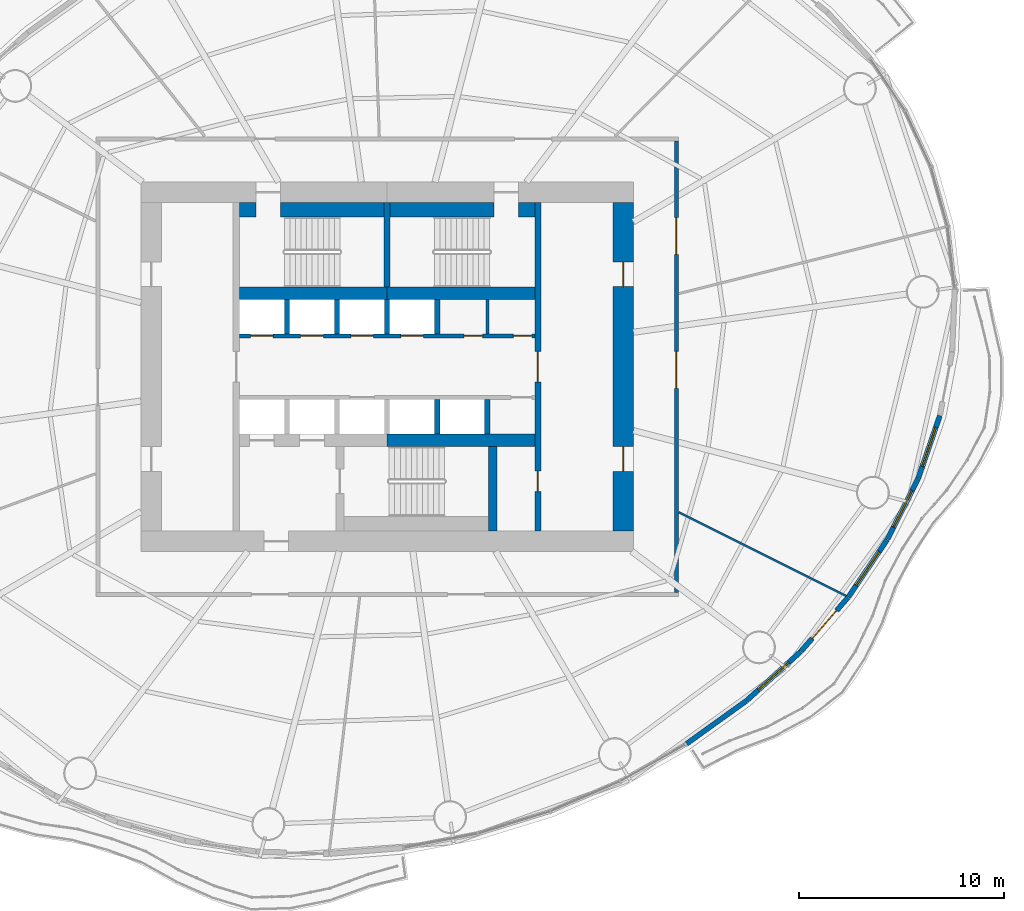
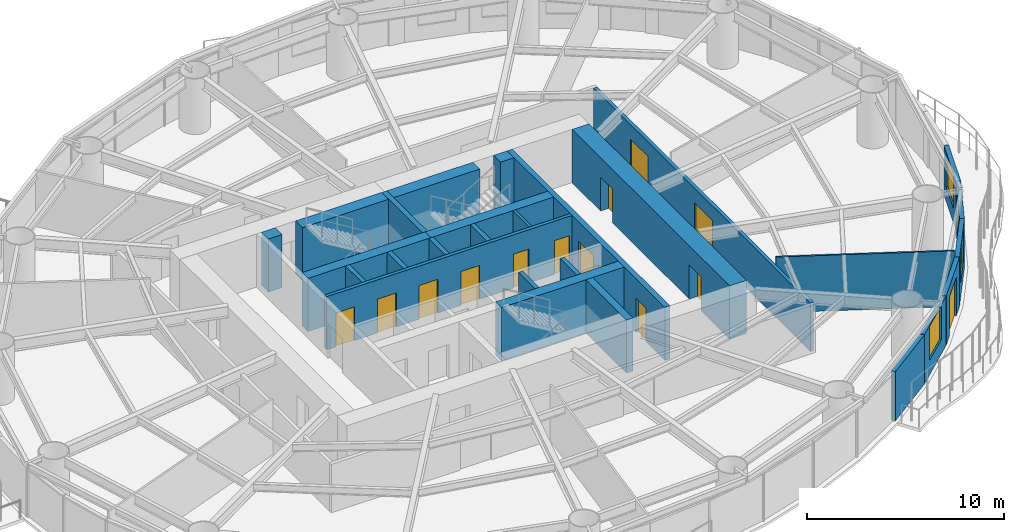
# One storey, part 9 of 16: 27 walls, 13 doors, 4 windows, 17 openings.
"""IFC4 building model written with IfcOpenShell, lengths in metres."""

from ifc_helpers import new_model, si_unit, direction, frame, frame_2d, origin, place, context, subcontext, project, spatial, rectangle, extrude, material, layer, layer_set, type_object, element, fill, save


model = new_model("IFC4")

# Units and contexts
model_context = context("Model", 3, precision=1e-05, world=origin(), true_north=direction((0.0, 1.0)))
body_context = subcontext(model_context, "Body", "Model", "MODEL_VIEW")
ifc_project = project(units=[si_unit("LENGTHUNIT", "METRE"), si_unit("AREAUNIT", "SQUARE_METRE"), si_unit("VOLUMEUNIT", "CUBIC_METRE"), si_unit("PLANEANGLEUNIT", "RADIAN"), si_unit("MASSUNIT", "GRAM", prefix="KILO")], contexts=[model_context])

# Site, building, storey
site_placement = place(None, origin())
site = spatial("IfcSite", under=ifc_project, at=site_placement, CompositionType="ELEMENT")
building_placement = place(site_placement, origin())
building = spatial("IfcBuilding", under=site, at=building_placement, Name="Vermilion Reach Broadcast Tower", CompositionType="ELEMENT")
storey_placement = place(building_placement, frame((0.0, 0.0, 113.800048828125)))
storey = spatial("IfcBuildingStorey", under=building, at=storey_placement, Name="L26", CompositionType="ELEMENT", Elevation=113.800048828125)

# Wall, openings, doors
ifc_material_1 = material(Name="Concrete C70", Category="concrete")
ifc_layer_1 = layer(ifc_material_1, 0.300048828125)
ifc_layer_set_1 = layer_set([ifc_layer_1], Name="Core inner wall 300 mm Concrete C70")
wall_type_1 = type_object("IfcWallType", Name="Core inner wall 300 mm Concrete C70", PredefinedType="SHEAR", material=ifc_layer_set_1)
wall_1_placement = place(storey_placement, frame((1.35009765625, -8.0, 0.0), z_axis=(0.0, 0.0, 1.0), x_axis=(0.0, 1.0, 0.0)))
wall_1 = element("IfcWall", 1, at=wall_1_placement, inside=storey, type_object=wall_type_1, Name="L26 core wall ewE", PredefinedType="SHEAR", context=body_context, shape_type="SweptSolid", body=[
    extrude(rectangle(XDim=16.0, YDim=0.300048828125, at=frame_2d((8.0, 0.0))), origin(), (0.0, 0.0, 1.0), 3.300048828125),
])
opening_1_placement = place(wall_1_placement, frame((1.909912109375, 0.0, 0.0)))
opening_1 = element("IfcOpeningElement", 2, at=opening_1_placement, cuts=wall_1, Name="Opening D05", PredefinedType="OPENING", context=body_context, shape_type="SweptSolid", body=[
    extrude(rectangle(XDim=1.0, YDim=2.10009765625, at=frame_2d((0.5, 1.050048828125))), frame((0.0, 0.159912109375, 0.0), z_axis=(0.0, -1.0, 0.0), x_axis=(1.0, 0.0, 0.0)), (0.0, 0.0, 1.0), 0.320068359375),
])
opening_2_placement = place(wall_1_placement, frame((7.25, 0.0, 0.0)))
opening_2 = element("IfcOpeningElement", 3, at=opening_2_placement, cuts=wall_1, Name="Opening D04", PredefinedType="OPENING", context=body_context, shape_type="SweptSolid", body=[
    extrude(rectangle(XDim=1.5, YDim=2.10009765625, at=frame_2d((0.75, 1.050048828125))), frame((0.0, 0.159912109375, 0.0), z_axis=(0.0, -1.0, 0.0), x_axis=(1.0, 0.0, 0.0)), (0.0, 0.0, 1.0), 0.320068359375),
])
ifc_material_2 = material(Name="Painted steel fire door", Category="steel")
door_type_1 = type_object("IfcDoorType", Name="Lift lobby door 1500 x 2100", OperationType="DOUBLE_DOOR_SINGLE_SWING", PredefinedType="NOTDEFINED", material=ifc_material_2)
door_1_placement = place(opening_2_placement, origin())
door_1 = element("IfcDoor", 4, at=door_1_placement, inside=storey, type_object=door_type_1, Name="L26 band door BE", OperationType="DOUBLE_DOOR_SINGLE_SWING", OverallHeight=2.10009765625, OverallWidth=1.5, PredefinedType="NOTDEFINED", context=body_context, shape_type="SweptSolid", body=[
    extrude(rectangle(XDim=1.5, YDim=2.10009765625, at=frame_2d((0.75, 1.050048828125))), frame((0.0, 0.02490234375, 0.0), z_axis=(0.0, -1.0, 0.0), x_axis=(1.0, 0.0, 0.0)), (0.0, 0.0, 1.0), 0.050048828125),
])
fill(opening_2, door_1)
ifc_material_3 = material(Name="Timber door", Category="wood")
door_type_2 = type_object("IfcDoorType", Name="Room door 1000 x 2100", OperationType="NOTDEFINED", PredefinedType="NOTDEFINED", material=ifc_material_3)
door_2_placement = place(opening_1_placement, origin())
door_2 = element("IfcDoor", 5, at=door_2_placement, inside=storey, type_object=door_type_2, Name="L26 door SER", OperationType="SINGLE_SWING_LEFT", OverallHeight=2.10009765625, OverallWidth=1.0, PredefinedType="NOTDEFINED", context=body_context, shape_type="SweptSolid", body=[
    extrude(rectangle(XDim=1.0, YDim=2.10009765625, at=frame_2d((0.5, 1.050048828125))), frame((0.0, 0.02490234375, 0.0), z_axis=(0.0, -1.0, 0.0), x_axis=(1.0, 0.0, 0.0)), (0.0, 0.0, 1.0), 0.050048828125),
])
fill(opening_1, door_2)

# Walls
wall_2_placement = place(storey_placement, frame((-6.0, 3.8798828125, 0.0), z_axis=(0.0, 0.0, 1.0), x_axis=(0.0, 1.0, 0.0)))
element("IfcWall", 6, at=wall_2_placement, inside=storey, type_object=wall_type_1, Name="L26 core wall wc", PredefinedType="SHEAR", context=body_context, shape_type="SweptSolid", body=[
    extrude(rectangle(XDim=4.1201171875, YDim=0.300048828125, at=frame_2d((2.06005859375, 0.0))), origin(), (0.0, 0.0, 1.0), 3.300048828125),
])
ifc_material_4 = material(Name="Concrete C70", Category="concrete")
ifc_layer_2 = layer(ifc_material_4, 0.39990234375)
ifc_layer_set_2 = layer_set([ifc_layer_2], Name="Core inner wall 400 mm Concrete C70")
wall_type_2 = type_object("IfcWallType", Name="Core inner wall 400 mm Concrete C70", PredefinedType="SHEAR", material=ifc_layer_set_2)
wall_3_placement = place(storey_placement, frame((-0.85009765625, -3.8798828125, 0.0), z_axis=(0.0, 0.0, 1.0), x_axis=(0.0, -1.0, 0.0)))
element("IfcWall", 7, at=wall_3_placement, inside=storey, type_object=wall_type_2, Name="L26 core wall wb", PredefinedType="SHEAR", context=body_context, shape_type="SweptSolid", body=[
    extrude(rectangle(XDim=4.1201171875, YDim=0.39990234375, at=frame_2d((2.06005859375, 0.0))), origin(), (0.0, 0.0, 1.0), 3.300048828125),
])
ifc_material_5 = material(Name="Concrete C70", Category="concrete")
ifc_layer_3 = layer(ifc_material_5, 0.60009765625)
ifc_layer_set_3 = layer_set([ifc_layer_3], Name="Core inner wall 600 mm Concrete C70")
wall_type_3 = type_object("IfcWallType", Name="Core inner wall 600 mm Concrete C70", PredefinedType="SHEAR", material=ifc_layer_set_3)
for number, where, z_axis, x_axis, name in (
    (8, (-13.199951171875, 3.580078125, 0.0), (0.0, 0.0, 1.0), (1.0, 0.0, 0.0), "L26 core wall winW"),
    (9, (-6.0, 3.580078125, 0.0), (0.0, 0.0, 1.0), (1.0, 0.0, 0.0), "L26 core wall winE"),
    (10, (-6.0, -3.580078125, 0.0), (0.0, 0.0, 1.0), (1.0, 0.0, 0.0), "L26 core wall wisE"),
):
    element("IfcWall", number, at=place(storey_placement, frame(where, z_axis=z_axis, x_axis=x_axis)), inside=storey, type_object=wall_type_3, Name=name, PredefinedType="SHEAR", context=body_context, shape_type="SweptSolid", body=[
        extrude(rectangle(XDim=7.199951171875, YDim=0.60009765625, at=frame_2d((3.60009765625, 0.0))), origin(), (0.0, 0.0, 1.0), 3.300048828125),
    ])

# Wall, openings, doors
ifc_material_6 = material(Name="Concrete C70", Category="concrete")
ifc_layer_4 = layer(ifc_material_6, 1.0)
ifc_layer_set_4 = layer_set([ifc_layer_4], Name="Core outer wall 1000 mm Concrete C70")
wall_type_4 = type_object("IfcWallType", Name="Core outer wall 1000 mm Concrete C70", PredefinedType="SHEAR", material=ifc_layer_set_4)
wall_4_placement = place(storey_placement, frame((5.5, -8.0, 0.0), z_axis=(0.0, 0.0, 1.0), x_axis=(0.0, 1.0, 0.0)))
wall_4 = element("IfcWall", 11, at=wall_4_placement, inside=storey, type_object=wall_type_4, Name="L26 core wall oe", PredefinedType="SHEAR", context=body_context, shape_type="SweptSolid", body=[
    extrude(rectangle(XDim=16.0, YDim=1.0, at=frame_2d((8.0, 0.0))), origin(), (0.0, 0.0, 1.0), 3.300048828125),
])
opening_3_placement = place(wall_4_placement, frame((2.89990234375, 0.0, 0.0)))
opening_3 = element("IfcOpeningElement", 12, at=opening_3_placement, cuts=wall_4, Name="Opening D03", PredefinedType="OPENING", context=body_context, shape_type="SweptSolid", body=[
    extrude(rectangle(XDim=1.199951171875, YDim=2.10009765625, at=frame_2d((0.60009765625, 1.050048828125))), frame((0.0, 0.510009765625, 0.0), z_axis=(0.0, -1.0, 0.0), x_axis=(1.0, 0.0, 0.0)), (0.0, 0.0, 1.0), 1.02001953125),
])
opening_4_placement = place(wall_4_placement, frame((11.89990234375, 0.0, 0.0)))
opening_4 = element("IfcOpeningElement", 13, at=opening_4_placement, cuts=wall_4, Name="Opening D03", PredefinedType="OPENING", context=body_context, shape_type="SweptSolid", body=[
    extrude(rectangle(XDim=1.199951171875, YDim=2.10009765625, at=frame_2d((0.60009765625, 1.050048828125))), frame((0.0, 0.510009765625, 0.0), z_axis=(0.0, -1.0, 0.0), x_axis=(1.0, 0.0, 0.0)), (0.0, 0.0, 1.0), 1.02001953125),
])
ifc_material_7 = material(Name="Painted steel fire door", Category="steel")
door_type_3 = type_object("IfcDoorType", Name="Core lobby door 1200 x 2100", OperationType="DOUBLE_DOOR_SINGLE_SWING", PredefinedType="NOTDEFINED", material=ifc_material_7)
door_3_placement = place(opening_3_placement, origin())
door_3 = element("IfcDoor", 14, at=door_3_placement, inside=storey, type_object=door_type_3, Name="L26 slot door E0", OperationType="DOUBLE_DOOR_SINGLE_SWING", OverallHeight=2.10009765625, OverallWidth=1.199951171875, PredefinedType="NOTDEFINED", context=body_context, shape_type="SweptSolid", body=[
    extrude(rectangle(XDim=1.199951171875, YDim=2.10009765625, at=frame_2d((0.60009765625, 1.050048828125))), frame((0.0, 0.02490234375, 0.0), z_axis=(0.0, -1.0, 0.0), x_axis=(1.0, 0.0, 0.0)), (0.0, 0.0, 1.0), 0.050048828125),
])
fill(opening_3, door_3)
door_4_placement = place(opening_4_placement, origin())
door_4 = element("IfcDoor", 15, at=door_4_placement, inside=storey, type_object=door_type_3, Name="L26 slot door E1", OperationType="DOUBLE_DOOR_SINGLE_SWING", OverallHeight=2.10009765625, OverallWidth=1.199951171875, PredefinedType="NOTDEFINED", context=body_context, shape_type="SweptSolid", body=[
    extrude(rectangle(XDim=1.199951171875, YDim=2.10009765625, at=frame_2d((0.60009765625, 1.050048828125))), frame((0.0, 0.02490234375, 0.0), z_axis=(0.0, -1.0, 0.0), x_axis=(1.0, 0.0, 0.0)), (0.0, 0.0, 1.0), 0.050048828125),
])
fill(opening_4, door_4)

# Wall
ifc_material_8 = material(Name="Masonry block", Category="masonry")
ifc_layer_5 = layer(ifc_material_8, 0.14990234375)
ifc_layer_set_5 = layer_set([ifc_layer_5], Name="Core partition wall 150 mm Masonry block")
wall_type_5 = type_object("IfcWallType", Name="Core partition wall 150 mm Masonry block", PredefinedType="PARTITIONING", material=ifc_layer_set_5)
wall_5_placement = place(storey_placement, frame((-1.11669921875, 1.60009765625, 0.0), z_axis=(0.0, 0.0, 1.0), x_axis=(0.0, 1.0, 0.0)))
element("IfcWall", 16, at=wall_5_placement, inside=storey, type_object=wall_type_5, Name="L26 core wall prN4883", PredefinedType="PARTITIONING", context=body_context, shape_type="SweptSolid", body=[
    extrude(rectangle(XDim=1.679931640625, YDim=0.14990234375, at=frame_2d((0.83984375, 0.0))), origin(), (0.0, 0.0, 1.0), 3.300048828125),
])

# Wall, openings, doors
ifc_material_9 = material(Name="Concrete C50", Category="concrete")
ifc_layer_6 = layer(ifc_material_9, 0.199951171875)
ifc_layer_set_6 = layer_set([ifc_layer_6], Name="Core shaft wall 200 mm Concrete C50")
wall_type_6 = type_object("IfcWallType", Name="Core shaft wall 200 mm Concrete C50", PredefinedType="SHEAR", material=ifc_layer_set_6)
wall_6_placement = place(storey_placement, frame((-13.199951171875, 1.5, 0.0), z_axis=(0.0, 0.0, 1.0), x_axis=(1.0, 0.0, 0.0)))
wall_6 = element("IfcWall", 17, at=wall_6_placement, inside=storey, type_object=wall_type_6, Name="L26 core wall fn", PredefinedType="SHEAR", context=body_context, shape_type="SweptSolid", body=[
    extrude(rectangle(XDim=14.39990234375, YDim=0.199951171875, at=frame_2d((7.199951171875, 0.0))), origin(), (0.0, 0.0, 1.0), 3.300048828125),
])
opening_5_placement = place(wall_6_placement, frame((0.5458984375, 0.0, 0.0)))
opening_5 = element("IfcOpeningElement", 18, at=opening_5_placement, cuts=wall_6, Name="Opening LD2", PredefinedType="OPENING", context=body_context, shape_type="SweptSolid", body=[
    extrude(rectangle(XDim=1.10009765625, YDim=2.10009765625, at=frame_2d((0.550048828125, 1.050048828125))), frame((0.0, 0.10986328125, 0.0), z_axis=(0.0, -1.0, 0.0), x_axis=(1.0, 0.0, 0.0)), (0.0, 0.0, 1.0), 0.219970703125),
])
opening_6_placement = place(wall_6_placement, frame((2.987548828125, 0.0, 0.0)))
opening_6 = element("IfcOpeningElement", 19, at=opening_6_placement, cuts=wall_6, Name="Opening LD2", PredefinedType="OPENING", context=body_context, shape_type="SweptSolid", body=[
    extrude(rectangle(XDim=1.10009765625, YDim=2.10009765625, at=frame_2d((0.550048828125, 1.050048828125))), frame((0.0, 0.10986328125, 0.0), z_axis=(0.0, -1.0, 0.0), x_axis=(1.0, 0.0, 0.0)), (0.0, 0.0, 1.0), 0.219970703125),
])
opening_7_placement = place(wall_6_placement, frame((5.42919921875, 0.0, 0.0)))
opening_7 = element("IfcOpeningElement", 20, at=opening_7_placement, cuts=wall_6, Name="Opening LD2", PredefinedType="OPENING", context=body_context, shape_type="SweptSolid", body=[
    extrude(rectangle(XDim=1.10009765625, YDim=2.10009765625, at=frame_2d((0.550048828125, 1.050048828125))), frame((0.0, 0.10986328125, 0.0), z_axis=(0.0, -1.0, 0.0), x_axis=(1.0, 0.0, 0.0)), (0.0, 0.0, 1.0), 0.219970703125),
])
opening_8_placement = place(wall_6_placement, frame((7.870849609375, 0.0, 0.0)))
opening_8 = element("IfcOpeningElement", 21, at=opening_8_placement, cuts=wall_6, Name="Opening LD2", PredefinedType="OPENING", context=body_context, shape_type="SweptSolid", body=[
    extrude(rectangle(XDim=1.10009765625, YDim=2.10009765625, at=frame_2d((0.550048828125, 1.050048828125))), frame((0.0, 0.10986328125, 0.0), z_axis=(0.0, -1.0, 0.0), x_axis=(1.0, 0.0, 0.0)), (0.0, 0.0, 1.0), 0.219970703125),
])
opening_9_placement = place(wall_6_placement, frame((10.958251953125, 0.0, 0.0)))
opening_9 = element("IfcOpeningElement", 22, at=opening_9_placement, cuts=wall_6, Name="Opening D06", PredefinedType="OPENING", context=body_context, shape_type="SweptSolid", body=[
    extrude(rectangle(XDim=0.89990234375, YDim=2.10009765625, at=frame_2d((0.449951171875, 1.050048828125))), frame((0.0, 0.10986328125, 0.0), z_axis=(0.0, -1.0, 0.0), x_axis=(1.0, 0.0, 0.0)), (0.0, 0.0, 1.0), 0.219970703125),
])
opening_10_placement = place(wall_6_placement, frame((13.35009765625, 0.0, 0.0)))
opening_10 = element("IfcOpeningElement", 23, at=opening_10_placement, cuts=wall_6, Name="Opening D06", PredefinedType="OPENING", context=body_context, shape_type="SweptSolid", body=[
    extrude(rectangle(XDim=0.89990234375, YDim=2.10009765625, at=frame_2d((0.449951171875, 1.050048828125))), frame((0.0, 0.10986328125, 0.0), z_axis=(0.0, -1.0, 0.0), x_axis=(1.0, 0.0, 0.0)), (0.0, 0.0, 1.0), 0.219970703125),
])
ifc_material_10 = material(Name="Stainless steel", Category="steel")
door_type_4 = type_object("IfcDoorType", Name="Landing door 1100 x 2100", OperationType="DOUBLE_DOOR_SLIDING", PredefinedType="NOTDEFINED", material=ifc_material_10)
door_5_placement = place(opening_5_placement, origin())
door_5 = element("IfcDoor", 24, at=door_5_placement, inside=storey, type_object=door_type_4, Name="L26 landing door LR1", OperationType="DOUBLE_DOOR_SLIDING", OverallHeight=2.10009765625, OverallWidth=1.10009765625, PredefinedType="NOTDEFINED", context=body_context, shape_type="SweptSolid", body=[
    extrude(rectangle(XDim=1.10009765625, YDim=2.10009765625, at=frame_2d((0.550048828125, 1.050048828125))), frame((0.0, 0.02490234375, 0.0), z_axis=(0.0, -1.0, 0.0), x_axis=(1.0, 0.0, 0.0)), (0.0, 0.0, 1.0), 0.050048828125),
])
fill(opening_5, door_5)
door_6_placement = place(opening_6_placement, origin())
door_6 = element("IfcDoor", 25, at=door_6_placement, inside=storey, type_object=door_type_4, Name="L26 landing door LR2", OperationType="DOUBLE_DOOR_SLIDING", OverallHeight=2.10009765625, OverallWidth=1.10009765625, PredefinedType="NOTDEFINED", context=body_context, shape_type="SweptSolid", body=[
    extrude(rectangle(XDim=1.10009765625, YDim=2.10009765625, at=frame_2d((0.550048828125, 1.050048828125))), frame((0.0, 0.02490234375, 0.0), z_axis=(0.0, -1.0, 0.0), x_axis=(1.0, 0.0, 0.0)), (0.0, 0.0, 1.0), 0.050048828125),
])
fill(opening_6, door_6)
door_7_placement = place(opening_7_placement, origin())
door_7 = element("IfcDoor", 26, at=door_7_placement, inside=storey, type_object=door_type_4, Name="L26 landing door LR3", OperationType="DOUBLE_DOOR_SLIDING", OverallHeight=2.10009765625, OverallWidth=1.10009765625, PredefinedType="NOTDEFINED", context=body_context, shape_type="SweptSolid", body=[
    extrude(rectangle(XDim=1.10009765625, YDim=2.10009765625, at=frame_2d((0.550048828125, 1.050048828125))), frame((0.0, 0.02490234375, 0.0), z_axis=(0.0, -1.0, 0.0), x_axis=(1.0, 0.0, 0.0)), (0.0, 0.0, 1.0), 0.050048828125),
])
fill(opening_7, door_7)
door_8_placement = place(opening_8_placement, origin())
door_8 = element("IfcDoor", 27, at=door_8_placement, inside=storey, type_object=door_type_4, Name="L26 landing door LR4", OperationType="DOUBLE_DOOR_SLIDING", OverallHeight=2.10009765625, OverallWidth=1.10009765625, PredefinedType="NOTDEFINED", context=body_context, shape_type="SweptSolid", body=[
    extrude(rectangle(XDim=1.10009765625, YDim=2.10009765625, at=frame_2d((0.550048828125, 1.050048828125))), frame((0.0, 0.02490234375, 0.0), z_axis=(0.0, -1.0, 0.0), x_axis=(1.0, 0.0, 0.0)), (0.0, 0.0, 1.0), 0.050048828125),
])
fill(opening_8, door_8)
ifc_material_11 = material(Name="Timber door", Category="wood")
door_type_5 = type_object("IfcDoorType", Name="WC door 900 x 2100", OperationType="NOTDEFINED", PredefinedType="NOTDEFINED", material=ifc_material_11)
door_9_placement = place(opening_9_placement, origin())
door_9 = element("IfcDoor", 28, at=door_9_placement, inside=storey, type_object=door_type_5, Name="L26 door Female WC", OperationType="SINGLE_SWING_RIGHT", OverallHeight=2.10009765625, OverallWidth=0.89990234375, PredefinedType="NOTDEFINED", context=body_context, shape_type="SweptSolid", body=[
    extrude(rectangle(XDim=0.89990234375, YDim=2.10009765625, at=frame_2d((0.449951171875, 1.050048828125))), frame((0.0, 0.02490234375, 0.0), z_axis=(0.0, -1.0, 0.0), x_axis=(1.0, 0.0, 0.0)), (0.0, 0.0, 1.0), 0.050048828125),
])
fill(opening_9, door_9)
door_10_placement = place(opening_10_placement, origin())
door_10 = element("IfcDoor", 29, at=door_10_placement, inside=storey, type_object=door_type_5, Name="L26 door Male WC", OperationType="SINGLE_SWING_RIGHT", OverallHeight=2.10009765625, OverallWidth=0.89990234375, PredefinedType="NOTDEFINED", context=body_context, shape_type="SweptSolid", body=[
    extrude(rectangle(XDim=0.89990234375, YDim=2.10009765625, at=frame_2d((0.449951171875, 1.050048828125))), frame((0.0, 0.02490234375, 0.0), z_axis=(0.0, -1.0, 0.0), x_axis=(1.0, 0.0, 0.0)), (0.0, 0.0, 1.0), 0.050048828125),
])
fill(opening_10, door_10)

# Walls
ifc_material_12 = material(Name="Concrete C50", Category="concrete")
ifc_layer_7 = layer(ifc_material_12, 0.25)
ifc_layer_set_7 = layer_set([ifc_layer_7], Name="Core shaft wall 250 mm Concrete C50")
wall_type_7 = type_object("IfcWallType", Name="Core shaft wall 250 mm Concrete C50", PredefinedType="SHEAR", material=ifc_layer_set_7)
for number, where, z_axis, x_axis, name in (
    (30, (-10.88330078125, 1.60009765625, 0.0), (0.0, 0.0, 1.0), (0.0, 1.0, 0.0), "L26 core wall psN0"),
    (31, (-8.441650390625, 1.60009765625, 0.0), (0.0, 0.0, 1.0), (0.0, 1.0, 0.0), "L26 core wall psN1"),
    (32, (-6.0, 1.60009765625, 0.0), (0.0, 0.0, 1.0), (0.0, 1.0, 0.0), "L26 core wall psN2"),
    (33, (-3.558349609375, 1.60009765625, 0.0), (0.0, 0.0, 1.0), (0.0, 1.0, 0.0), "L26 core wall psN3"),
    (34, (-3.558349609375, -1.60009765625, 0.0), (0.0, 0.0, 1.0), (0.0, -1.0, 0.0), "L26 core wall psS3"),
    (35, (-1.11669921875, -1.60009765625, 0.0), (0.0, 0.0, 1.0), (0.0, -1.0, 0.0), "L26 core wall psS4"),
):
    element("IfcWall", number, at=place(storey_placement, frame(where, z_axis=z_axis, x_axis=x_axis)), inside=storey, type_object=wall_type_7, Name=name, PredefinedType="SHEAR", context=body_context, shape_type="SweptSolid", body=[
        extrude(rectangle(XDim=1.679931640625, YDim=0.25, at=frame_2d((0.83984375, 0.0))), origin(), (0.0, 0.0, 1.0), 3.300048828125),
    ])
ifc_material_13 = material(Name="Concrete C70", Category="concrete")
ifc_layer_8 = layer(ifc_material_13, 0.699951171875)
ifc_layer_set_8 = layer_set([ifc_layer_8], Name="Core stair wall 700 mm Concrete C70")
wall_type_8 = type_object("IfcWallType", Name="Core stair wall 700 mm Concrete C70", PredefinedType="SHEAR", material=ifc_layer_set_8)
wall_7_placement = place(storey_placement, frame((-13.199951171875, 7.64990234375, 0.0), z_axis=(0.0, 0.0, 1.0), x_axis=(1.0, 0.0, 0.0)))
element("IfcWall", 36, at=wall_7_placement, inside=storey, type_object=wall_type_8, Name="L26 core wall l1a", PredefinedType="SHEAR", context=body_context, shape_type="SweptSolid", body=[
    extrude(rectangle(XDim=0.800048828125, YDim=0.699951171875, at=frame_2d((0.39990234375, 0.0))), origin(), (0.0, 0.0, 1.0), 3.300048828125),
])
for number, where, z_axis, x_axis, name in (
    (37, (-11.199951171875, 7.64990234375, 0.0), (0.0, 0.0, 1.0), (1.0, 0.0, 0.0), "L26 core wall l1b"),
    (38, (-5.85009765625, 7.64990234375, 0.0), (0.0, 0.0, 1.0), (1.0, 0.0, 0.0), "L26 core wall l2a"),
):
    element("IfcWall", number, at=place(storey_placement, frame(where, z_axis=z_axis, x_axis=x_axis)), inside=storey, type_object=wall_type_8, Name=name, PredefinedType="SHEAR", context=body_context, shape_type="SweptSolid", body=[
        extrude(rectangle(XDim=5.050048828125, YDim=0.699951171875, at=frame_2d((2.52490234375, 0.0))), origin(), (0.0, 0.0, 1.0), 3.300048828125),
    ])
wall_8_placement = place(storey_placement, frame((0.39990234375, 7.64990234375, 0.0), z_axis=(0.0, 0.0, 1.0), x_axis=(1.0, 0.0, 0.0)))
element("IfcWall", 39, at=wall_8_placement, inside=storey, type_object=wall_type_8, Name="L26 core wall l2b", PredefinedType="SHEAR", context=body_context, shape_type="SweptSolid", body=[
    extrude(rectangle(XDim=0.800048828125, YDim=0.699951171875, at=frame_2d((0.39990234375, 0.0))), origin(), (0.0, 0.0, 1.0), 3.300048828125),
])
ifc_material_14 = material(Name="Plasterboard on steel stud", Category="steel")
ifc_layer_9 = layer(ifc_material_14, 0.10009765625)
ifc_layer_set_9 = layer_set([ifc_layer_9], Name="Partition 100 steel stud")
wall_type_9 = type_object("IfcWallType", Name="Partition 100 steel stud", PredefinedType="PARTITIONING", material=ifc_layer_set_9)
wall_9_placement = place(storey_placement, frame((16.367919921875, -11.169921875, 0.0), z_axis=(0.0, 0.0, 1.0), x_axis=(-0.894652322712, 0.446763048457, 0.0)))
element("IfcWall", 40, at=wall_9_placement, inside=storey, type_object=wall_type_9, Name="Partition 26.07", PredefinedType="PARTITIONING", context=body_context, shape_type="SweptSolid", body=[
    extrude(rectangle(XDim=9.104736328125, YDim=0.10009765625, at=frame_2d((4.55224609375, 0.0))), origin(), (0.0, 0.0, 1.0), 3.449951171875),
])
ifc_material_15 = material(Name="Terracotta rainscreen cladding", Category="masonry")
ifc_layer_10 = layer(ifc_material_15, 0.25)
ifc_layer_set_10 = layer_set([ifc_layer_10], Name="Terracotta rainscreen wall 250")
wall_type_10 = type_object("IfcWallType", Name="Terracotta rainscreen wall 250", PredefinedType="SOLIDWALL", material=ifc_layer_set_10)
wall_10_placement = place(storey_placement, frame((8.60302734375, -18.37548828125, 0.0), z_axis=(0.0, 0.0, 1.0), x_axis=(0.812029550547, 0.583616320058, 0.0)))
element("IfcWall", 41, at=wall_10_placement, inside=storey, type_object=wall_type_10, Name="External wall L26 38", PredefinedType="SOLIDWALL", context=body_context, shape_type="SweptSolid", body=[
    extrude(rectangle(XDim=3.570068359375, YDim=0.25, at=frame_2d((1.78515625, 0.0))), origin(), (0.0, 0.0, 1.0), 3.050048828125),
])

# Wall, opening, window
wall_11_placement = place(storey_placement, frame((11.519287109375, -16.278076171875, 0.0), z_axis=(0.0, 0.0, 1.0), x_axis=(0.7412037287, 0.67128014462, 0.0)))
wall_11 = element("IfcWall", 42, at=wall_11_placement, inside=storey, type_object=wall_type_10, Name="External wall L26 39", PredefinedType="SOLIDWALL", context=body_context, shape_type="SweptSolid", body=[
    extrude(rectangle(XDim=3.554443359375, YDim=0.25, at=frame_2d((1.77734375, 0.0))), origin(), (0.0, 0.0, 1.0), 3.050048828125),
])
opening_11_placement = place(wall_11_placement, frame((0.77734375, 0.0, 0.89990234375)))
opening_11 = element("IfcOpeningElement", 43, at=opening_11_placement, cuts=wall_11, Name="Opening W03", PredefinedType="OPENING", context=body_context, shape_type="SweptSolid", body=[
    extrude(rectangle(XDim=2.0, YDim=2.10009765625, at=frame_2d((1.0, 1.050048828125))), frame((0.0, 0.135009765625, 0.0), z_axis=(0.0, -1.0, 0.0), x_axis=(1.0, 0.0, 0.0)), (0.0, 0.0, 1.0), 0.27001953125),
])
ifc_material_16 = material(Name="Low-e laminated clear glass in aluminium frame", Category="aluminium")
window_type = type_object("IfcWindowType", Name="Punched window 2000 x 2100 sill 900", PartitioningType="SINGLE_PANEL", PredefinedType="WINDOW", material=ifc_material_16)
window_1_placement = place(opening_11_placement, origin())
window_1 = element("IfcWindow", 44, at=window_1_placement, inside=storey, type_object=window_type, Name="Window L26 39", OverallHeight=2.10009765625, OverallWidth=2.0, PartitioningType="SINGLE_PANEL", PredefinedType="WINDOW", context=body_context, shape_type="SweptSolid", body=[
    extrude(rectangle(XDim=2.0, YDim=2.10009765625, at=frame_2d((1.0, 1.050048828125))), frame((0.0, 0.030029296875, 0.0), z_axis=(0.0, -1.0, 0.0), x_axis=(1.0, 0.0, 0.0)), (0.0, 0.0, 1.0), 0.06005859375),
])
fill(opening_11, window_1)

# Wall, opening, door
wall_12_placement = place(storey_placement, frame((14.169677734375, -13.8759765625, 0.0), z_axis=(0.0, 0.0, 1.0), x_axis=(0.657903433386, 0.753102298721, 0.0)))
wall_12 = element("IfcWall", 45, at=wall_12_placement, inside=storey, type_object=wall_type_10, Name="External wall L26 40", PredefinedType="SOLIDWALL", context=body_context, shape_type="SweptSolid", body=[
    extrude(rectangle(XDim=3.47998046875, YDim=0.25, at=frame_2d((1.739990234375, 0.0))), origin(), (0.0, 0.0, 1.0), 3.050048828125),
])
opening_12_placement = place(wall_12_placement, frame((0.840087890625, 0.0, 0.0)))
opening_12 = element("IfcOpeningElement", 46, at=opening_12_placement, cuts=wall_12, Name="Opening D70", PredefinedType="OPENING", context=body_context, shape_type="SweptSolid", body=[
    extrude(rectangle(XDim=1.800048828125, YDim=2.39990234375, at=frame_2d((0.89990234375, 1.199951171875))), frame((0.0, 0.135009765625, 0.0), z_axis=(0.0, -1.0, 0.0), x_axis=(1.0, 0.0, 0.0)), (0.0, 0.0, 1.0), 0.27001953125),
])
ifc_material_17 = material(Name="Low-e laminated clear glass in aluminium frame", Category="aluminium")
door_type_6 = type_object("IfcDoorType", Name="Balcony sliding door 1800 x 2400", OperationType="DOUBLE_DOOR_SLIDING", PredefinedType="DOOR", material=ifc_material_17)
door_11_placement = place(opening_12_placement, origin())
door_11 = element("IfcDoor", 47, at=door_11_placement, inside=storey, type_object=door_type_6, Name="Balcony door L26 run 10", OperationType="DOUBLE_DOOR_SLIDING", OverallHeight=2.39990234375, OverallWidth=1.800048828125, PredefinedType="DOOR", context=body_context, shape_type="SweptSolid", body=[
    extrude(rectangle(XDim=1.800048828125, YDim=2.39990234375, at=frame_2d((0.89990234375, 1.199951171875))), frame((0.0, 0.02490234375, 0.0), z_axis=(0.0, -1.0, 0.0), x_axis=(1.0, 0.0, 0.0)), (0.0, 0.0, 1.0), 0.050048828125),
])
fill(opening_12, door_11)

# Wall, opening, window
wall_13_placement = place(storey_placement, frame((16.473388671875, -11.236572265625, 0.0), z_axis=(0.0, 0.0, 1.0), x_axis=(0.561237624503, 0.827654715955, 0.0)))
wall_13 = element("IfcWall", 48, at=wall_13_placement, inside=storey, type_object=wall_type_10, Name="External wall L26 41", PredefinedType="SOLIDWALL", context=body_context, shape_type="SweptSolid", body=[
    extrude(rectangle(XDim=3.395263671875, YDim=0.25, at=frame_2d((1.69775390625, 0.0))), origin(), (0.0, 0.0, 1.0), 3.050048828125),
])
opening_13_placement = place(wall_13_placement, frame((0.697509765625, 0.0, 0.89990234375)))
opening_13 = element("IfcOpeningElement", 49, at=opening_13_placement, cuts=wall_13, Name="Opening W03", PredefinedType="OPENING", context=body_context, shape_type="SweptSolid", body=[
    extrude(rectangle(XDim=2.0, YDim=2.10009765625, at=frame_2d((1.0, 1.050048828125))), frame((0.0, 0.135009765625, 0.0), z_axis=(0.0, -1.0, 0.0), x_axis=(1.0, 0.0, 0.0)), (0.0, 0.0, 1.0), 0.27001953125),
])
window_2_placement = place(opening_13_placement, origin())
window_2 = element("IfcWindow", 50, at=window_2_placement, inside=storey, type_object=window_type, Name="Window L26 41", OverallHeight=2.10009765625, OverallWidth=2.0, PartitioningType="SINGLE_PANEL", PredefinedType="WINDOW", context=body_context, shape_type="SweptSolid", body=[
    extrude(rectangle(XDim=2.0, YDim=2.10009765625, at=frame_2d((1.0, 1.050048828125))), frame((0.0, 0.030029296875, 0.0), z_axis=(0.0, -1.0, 0.0), x_axis=(1.0, 0.0, 0.0)), (0.0, 0.0, 1.0), 0.06005859375),
])
fill(opening_13, window_2)

wall_14_placement = place(storey_placement, frame((18.390869140625, -8.40576171875, 0.0), z_axis=(0.0, 0.0, 1.0), x_axis=(0.450638115992, 0.89270672027, 0.0)))
wall_14 = element("IfcWall", 51, at=wall_14_placement, inside=storey, type_object=wall_type_10, Name="External wall L26 42", PredefinedType="SOLIDWALL", context=body_context, shape_type="SweptSolid", body=[
    extrude(rectangle(XDim=3.3046875, YDim=0.25, at=frame_2d((1.65234375, 0.0))), origin(), (0.0, 0.0, 1.0), 3.050048828125),
])
opening_14_placement = place(wall_14_placement, frame((0.65234375, 0.0, 0.89990234375)))
opening_14 = element("IfcOpeningElement", 52, at=opening_14_placement, cuts=wall_14, Name="Opening W03", PredefinedType="OPENING", context=body_context, shape_type="SweptSolid", body=[
    extrude(rectangle(XDim=2.0, YDim=2.10009765625, at=frame_2d((1.0, 1.050048828125))), frame((0.0, 0.135009765625, 0.0), z_axis=(0.0, -1.0, 0.0), x_axis=(1.0, 0.0, 0.0)), (0.0, 0.0, 1.0), 0.27001953125),
])
window_3_placement = place(opening_14_placement, origin())
window_3 = element("IfcWindow", 53, at=window_3_placement, inside=storey, type_object=window_type, Name="Window L26 42", OverallHeight=2.10009765625, OverallWidth=2.0, PartitioningType="SINGLE_PANEL", PredefinedType="WINDOW", context=body_context, shape_type="SweptSolid", body=[
    extrude(rectangle(XDim=2.0, YDim=2.10009765625, at=frame_2d((1.0, 1.050048828125))), frame((0.0, 0.030029296875, 0.0), z_axis=(0.0, -1.0, 0.0), x_axis=(1.0, 0.0, 0.0)), (0.0, 0.0, 1.0), 0.06005859375),
])
fill(opening_14, window_3)

wall_15_placement = place(storey_placement, frame((19.889892578125, -5.4326171875, 0.0), z_axis=(0.0, 0.0, 1.0), x_axis=(0.326142792105, 0.945320516628, 0.0)))
wall_15 = element("IfcWall", 54, at=wall_15_placement, inside=storey, type_object=wall_type_10, Name="External wall L26 43", PredefinedType="SOLIDWALL", context=body_context, shape_type="SweptSolid", body=[
    extrude(rectangle(XDim=3.215087890625, YDim=0.25, at=frame_2d((1.607421875, 0.0))), origin(), (0.0, 0.0, 1.0), 3.050048828125),
])
opening_15_placement = place(wall_15_placement, frame((0.607421875, 0.0, 0.89990234375)))
opening_15 = element("IfcOpeningElement", 55, at=opening_15_placement, cuts=wall_15, Name="Opening W03", PredefinedType="OPENING", context=body_context, shape_type="SweptSolid", body=[
    extrude(rectangle(XDim=2.0, YDim=2.10009765625, at=frame_2d((1.0, 1.050048828125))), frame((0.0, 0.135009765625, 0.0), z_axis=(0.0, -1.0, 0.0), x_axis=(1.0, 0.0, 0.0)), (0.0, 0.0, 1.0), 0.27001953125),
])
window_4_placement = place(opening_15_placement, origin())
window_4 = element("IfcWindow", 56, at=window_4_placement, inside=storey, type_object=window_type, Name="Window L26 43", OverallHeight=2.10009765625, OverallWidth=2.0, PartitioningType="SINGLE_PANEL", PredefinedType="WINDOW", context=body_context, shape_type="SweptSolid", body=[
    extrude(rectangle(XDim=2.0, YDim=2.10009765625, at=frame_2d((1.0, 1.050048828125))), frame((0.0, 0.030029296875, 0.0), z_axis=(0.0, -1.0, 0.0), x_axis=(1.0, 0.0, 0.0)), (0.0, 0.0, 1.0), 0.06005859375),
])
fill(opening_15, window_4)

# Wall, openings, doors
ifc_material_18 = material(Name="Fire-rated gypsum board partition")
ifc_layer_11 = layer(ifc_material_18, 0.199951171875)
ifc_layer_set_11 = layer_set([ifc_layer_11], Name="Under girder: Corridor wall 200 fire-rated")
wall_type_11 = type_object("IfcWallType", Name="Under girder: Corridor wall 200 fire-rated", PredefinedType="PARTITIONING", material=ifc_layer_set_11)
wall_16_placement = place(storey_placement, frame((8.10009765625, 11.0, 0.0), z_axis=(0.0, 0.0, 1.0), x_axis=(0.0, -1.0, 0.0)))
wall_16 = element("IfcWall", 57, at=wall_16_placement, inside=storey, type_object=wall_type_11, Name="Corridor wall 26.E", PredefinedType="PARTITIONING", context=body_context, shape_type="SweptSolid", body=[
    extrude(rectangle(XDim=22.0, YDim=0.199951171875, at=frame_2d((11.0, 0.0))), origin(), (0.0, 0.0, 1.0), 3.0),
])
opening_16_placement = place(wall_16_placement, frame((10.26025390625, 0.0, 0.0)))
opening_16 = element("IfcOpeningElement", 58, at=opening_16_placement, cuts=wall_16, Name="Opening D21", PredefinedType="OPENING", context=body_context, shape_type="SweptSolid", body=[
    extrude(rectangle(XDim=1.800048828125, YDim=2.10009765625, at=frame_2d((0.89990234375, 1.050048828125))), frame((0.0, 0.10986328125, 0.0), z_axis=(0.0, -1.0, 0.0), x_axis=(1.0, 0.0, 0.0)), (0.0, 0.0, 1.0), 0.219970703125),
])
opening_17_placement = place(wall_16_placement, frame((3.73291015625, 0.0, 0.0)))
opening_17 = element("IfcOpeningElement", 59, at=opening_17_placement, cuts=wall_16, Name="Opening D21", PredefinedType="OPENING", context=body_context, shape_type="SweptSolid", body=[
    extrude(rectangle(XDim=1.800048828125, YDim=2.10009765625, at=frame_2d((0.89990234375, 1.050048828125))), frame((0.0, 0.10986328125, 0.0), z_axis=(0.0, -1.0, 0.0), x_axis=(1.0, 0.0, 0.0)), (0.0, 0.0, 1.0), 0.219970703125),
])
ifc_material_19 = material(Name="Timber door leaf", Category="wood")
door_type_7 = type_object("IfcDoorType", Name="Door pair 1800x2100", OperationType="NOTDEFINED", PredefinedType="DOOR", material=ifc_material_19)
door_12_placement = place(opening_16_placement, origin())
door_12 = element("IfcDoor", 60, at=door_12_placement, inside=storey, type_object=door_type_7, Name="Door 26.07", OperationType="DOUBLE_DOOR_SINGLE_SWING", OverallHeight=2.10009765625, OverallWidth=1.800048828125, PredefinedType="DOOR", context=body_context, shape_type="SweptSolid", body=[
    extrude(rectangle(XDim=1.800048828125, YDim=2.10009765625, at=frame_2d((0.89990234375, 1.050048828125))), frame((0.0, 0.02490234375, 0.0), z_axis=(0.0, -1.0, 0.0), x_axis=(1.0, 0.0, 0.0)), (0.0, 0.0, 1.0), 0.050048828125),
])
fill(opening_16, door_12)
door_13_placement = place(opening_17_placement, origin())
door_13 = element("IfcDoor", 61, at=door_13_placement, inside=storey, type_object=door_type_7, Name="Door 26.08", OperationType="DOUBLE_DOOR_SINGLE_SWING", OverallHeight=2.10009765625, OverallWidth=1.800048828125, PredefinedType="DOOR", context=body_context, shape_type="SweptSolid", body=[
    extrude(rectangle(XDim=1.800048828125, YDim=2.10009765625, at=frame_2d((0.89990234375, 1.050048828125))), frame((0.0, 0.02490234375, 0.0), z_axis=(0.0, -1.0, 0.0), x_axis=(1.0, 0.0, 0.0)), (0.0, 0.0, 1.0), 0.050048828125),
])
fill(opening_17, door_13)

save(model, "model.ifc")
